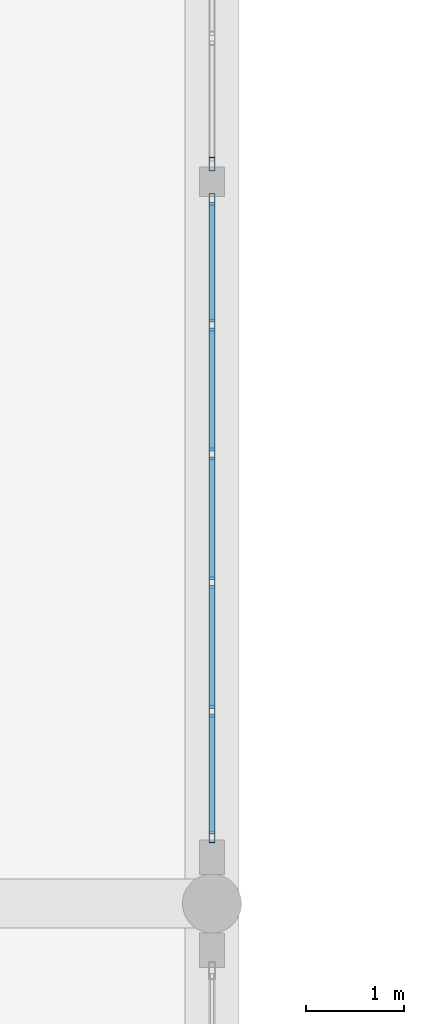
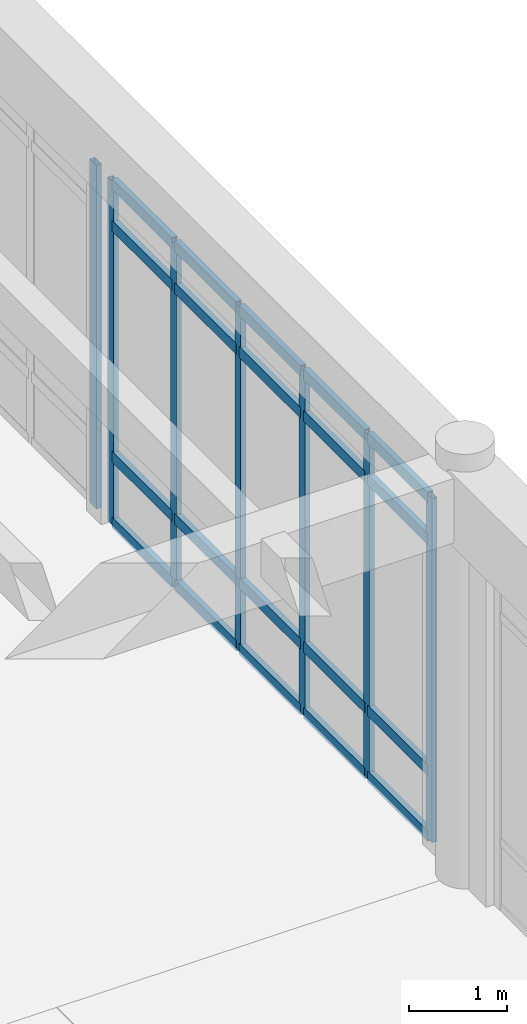
# One storey, part 82 of 138: 27 members, 2 elements without a shape of their own.
"""IFC4 building model written with IfcOpenShell, lengths in metres."""

from ifc_helpers import new_model, si_unit, direction, frame, origin, origin_2d, place, context, subcontext, project, spatial, hollow_rectangle, extrude, material, layer, layer_set, material_profile, profile_set, type_object, element, aggregate, save


model = new_model("IFC4")

# Units and contexts
model_context = context("Model", 3, precision=1e-05, world=origin(), true_north=direction((0.0, 1.0)))
body_context = subcontext(model_context, "Body", "Model", "MODEL_VIEW")
ifc_project = project(units=[si_unit("LENGTHUNIT", "METRE"), si_unit("AREAUNIT", "SQUARE_METRE"), si_unit("VOLUMEUNIT", "CUBIC_METRE"), si_unit("PLANEANGLEUNIT", "RADIAN"), si_unit("MASSUNIT", "GRAM", prefix="KILO")], contexts=[model_context])

# Site, building, storey
site_placement = place(None, origin())
site = spatial("IfcSite", under=ifc_project, at=site_placement, CompositionType="ELEMENT")
building_placement = place(site_placement, origin())
building = spatial("IfcBuilding", under=site, at=building_placement, Name="Fikremerkos Civic Library", CompositionType="ELEMENT")
storey_placement = place(building_placement, origin())
storey = spatial("IfcBuildingStorey", under=building, at=storey_placement, Name="L00", CompositionType="ELEMENT", Elevation=0.0)

# Curtain wall, member
ifc_material = material(Name="Anodized aluminium Frame", Category="aluminium")
ifc_layer_1 = layer(ifc_material, 0.159912109375, Name="Anodized aluminium Frame")
ifc_layer_set_1 = layer_set([ifc_layer_1], Name="Anodized aluminium Frame")
curtain_wall_type_1 = type_object("IfcCurtainWallType", Name="Unitised curtain wall CW-03 4100x3600", PredefinedType="USERDEFINED", material=ifc_layer_set_1)
curtain_wall_1_placement = place(storey_placement, origin())
curtain_wall_1 = element("IfcCurtainWall", 1, at=curtain_wall_1_placement, inside=storey, type_object=curtain_wall_type_1, Name="Unitised curtain wall CW-03 L00 #57", ObjectType="UNITISED CURTAIN WALL", PredefinedType="USERDEFINED")
ifc_material_profile_1 = material_profile(ifc_material, hollow_rectangle(XDim=0.06005859375, YDim=0.139892578125, WallThickness=0.00390625, at=origin_2d()), Name="ALU 140x60x4")
ifc_profile_set_1 = profile_set([ifc_material_profile_1], Name="Anodized aluminium Frame")
member_type_1 = type_object("IfcMemberType", Name="Curtain mullion CWM-03 ALU 140x60x4", PredefinedType="MULLION", material=ifc_profile_set_1)
member_1_placement = place(storey_placement, frame((134.39990234375, 103.52099609375, 0.0), z_axis=(0.0, 0.0, 1.0), x_axis=(1.0, 0.0, 0.0)))
member_1 = element("IfcMember", 2, at=member_1_placement, type_object=member_type_1, Name="CW-03 mullion 6", PredefinedType="MULLION", context=body_context, shape_type="SweptSolid", body=[
    extrude(hollow_rectangle(XDim=0.06005859375, YDim=0.139892578125, WallThickness=0.00390625, at=origin_2d()), origin(), (0.0, 0.0, 1.0), 4.27001953125),
])
aggregate(curtain_wall_1, [member_1])

# Curtain wall, members
ifc_layer_2 = layer(ifc_material, 0.159912109375, Name="Anodized aluminium Frame")
ifc_layer_set_2 = layer_set([ifc_layer_2], Name="Anodized aluminium Frame")
curtain_wall_type_2 = type_object("IfcCurtainWallType", Name="Unitised curtain wall CW-04 3400x3600", PredefinedType="USERDEFINED", material=ifc_layer_set_2)
curtain_wall_2_placement = place(storey_placement, origin())
curtain_wall_2 = element("IfcCurtainWall", 3, at=curtain_wall_2_placement, inside=storey, type_object=curtain_wall_type_2, Name="Unitised curtain wall CW-04 L00 #58", ObjectType="UNITISED CURTAIN WALL", PredefinedType="USERDEFINED")
ifc_material_profile_2 = material_profile(ifc_material, hollow_rectangle(XDim=0.06005859375, YDim=0.1201171875, WallThickness=0.00390625, at=origin_2d()), Name="ALU 120x60x4")
ifc_profile_set_2 = profile_set([ifc_material_profile_2], Name="Anodized aluminium Frame")
member_type_2 = type_object("IfcMemberType", Name="Curtain mullion CWM-04 ALU 120x60x4", PredefinedType="MULLION", material=ifc_profile_set_2)
member_2_placement = place(storey_placement, frame((134.39990234375, 103.160888671875, 0.0), z_axis=(0.0, 0.0, 1.0), x_axis=(1.0, 0.0, 0.0)))
member_2 = element("IfcMember", 4, at=member_2_placement, type_object=member_type_2, Name="CW-04 mullion 1", PredefinedType="MULLION", context=body_context, shape_type="SweptSolid", body=[
    extrude(hollow_rectangle(XDim=0.06005859375, YDim=0.1201171875, WallThickness=0.00390625, at=origin_2d()), origin(), (0.0, 0.0, 1.0), 4.27001953125),
])
member_3_placement = place(storey_placement, frame((134.39990234375, 101.88232421875, 0.0), z_axis=(0.0, 0.0, 1.0), x_axis=(1.0, 0.0, 0.0)))
member_3 = element("IfcMember", 5, at=member_3_placement, type_object=member_type_2, Name="CW-04 mullion 2", PredefinedType="MULLION", context=body_context, shape_type="SweptSolid", body=[
    extrude(hollow_rectangle(XDim=0.06005859375, YDim=0.1201171875, WallThickness=0.00390625, at=origin_2d()), origin(), (0.0, 0.0, 1.0), 4.27001953125),
])
member_4_placement = place(storey_placement, frame((134.39990234375, 100.57373046875, 0.0), z_axis=(0.0, 0.0, 1.0), x_axis=(1.0, 0.0, 0.0)))
member_4 = element("IfcMember", 6, at=member_4_placement, type_object=member_type_2, Name="CW-04 mullion 3", PredefinedType="MULLION", context=body_context, shape_type="SweptSolid", body=[
    extrude(hollow_rectangle(XDim=0.06005859375, YDim=0.1201171875, WallThickness=0.00390625, at=origin_2d()), origin(), (0.0, 0.0, 1.0), 4.27001953125),
])
member_5_placement = place(storey_placement, frame((134.39990234375, 99.26513671875, 0.0), z_axis=(0.0, 0.0, 1.0), x_axis=(1.0, 0.0, 0.0)))
member_5 = element("IfcMember", 7, at=member_5_placement, type_object=member_type_2, Name="CW-04 mullion 4", PredefinedType="MULLION", context=body_context, shape_type="SweptSolid", body=[
    extrude(hollow_rectangle(XDim=0.06005859375, YDim=0.1201171875, WallThickness=0.00390625, at=origin_2d()), origin(), (0.0, 0.0, 1.0), 4.27001953125),
])
member_6_placement = place(storey_placement, frame((134.39990234375, 97.95654296875, 0.0), z_axis=(0.0, 0.0, 1.0), x_axis=(1.0, 0.0, 0.0)))
member_6 = element("IfcMember", 8, at=member_6_placement, type_object=member_type_2, Name="CW-04 mullion 5", PredefinedType="MULLION", context=body_context, shape_type="SweptSolid", body=[
    extrude(hollow_rectangle(XDim=0.06005859375, YDim=0.1201171875, WallThickness=0.00390625, at=origin_2d()), origin(), (0.0, 0.0, 1.0), 4.27001953125),
])
member_7_placement = place(storey_placement, frame((134.39990234375, 96.677978515625, 0.0), z_axis=(0.0, 0.0, 1.0), x_axis=(1.0, 0.0, 0.0)))
member_7 = element("IfcMember", 9, at=member_7_placement, type_object=member_type_2, Name="CW-04 mullion 6", PredefinedType="MULLION", context=body_context, shape_type="SweptSolid", body=[
    extrude(hollow_rectangle(XDim=0.06005859375, YDim=0.1201171875, WallThickness=0.00390625, at=origin_2d()), origin(), (0.0, 0.0, 1.0), 4.27001953125),
])
ifc_material_profile_3 = material_profile(ifc_material, hollow_rectangle(XDim=0.06494140625, YDim=0.135009765625, WallThickness=0.00439453125, at=origin_2d()), Name="ALU 135x65x4.5")
ifc_profile_set_3 = profile_set([ifc_material_profile_3], Name="Anodized aluminium Frame")
member_type_3 = type_object("IfcMemberType", Name="Curtain transom CWT-02 ALU 135x65x4.5", PredefinedType="USERDEFINED", material=ifc_profile_set_3)
member_8_placement = place(storey_placement, frame((134.39990234375, 103.131103515625, 0.032470703125), z_axis=(0.0, -1.0, 0.0), x_axis=(1.0, 0.0, 0.0)))
member_8 = element("IfcMember", 10, at=member_8_placement, type_object=member_type_3, Name="CW-04 transom 1.1", ObjectType="TRANSOM", PredefinedType="USERDEFINED", context=body_context, shape_type="SweptSolid", body=[
    extrude(hollow_rectangle(XDim=0.06494140625, YDim=0.135009765625, WallThickness=0.00439453125, at=origin_2d()), origin(), (0.0, 0.0, 1.0), 1.21875),
])
member_9_placement = place(storey_placement, frame((134.39990234375, 103.131103515625, 0.85009765625), z_axis=(0.0, -1.0, 0.0), x_axis=(1.0, 0.0, 0.0)))
member_9 = element("IfcMember", 11, at=member_9_placement, type_object=member_type_3, Name="CW-04 transom 1.2", ObjectType="TRANSOM", PredefinedType="USERDEFINED", context=body_context, shape_type="SweptSolid", body=[
    extrude(hollow_rectangle(XDim=0.06494140625, YDim=0.135009765625, WallThickness=0.00439453125, at=origin_2d()), origin(), (0.0, 0.0, 1.0), 1.21875),
])
member_10_placement = place(storey_placement, frame((134.39990234375, 103.131103515625, 3.719970703125), z_axis=(0.0, -1.0, 0.0), x_axis=(1.0, 0.0, 0.0)))
member_10 = element("IfcMember", 12, at=member_10_placement, type_object=member_type_3, Name="CW-04 transom 1.3", ObjectType="TRANSOM", PredefinedType="USERDEFINED", context=body_context, shape_type="SweptSolid", body=[
    extrude(hollow_rectangle(XDim=0.06494140625, YDim=0.135009765625, WallThickness=0.00439453125, at=origin_2d()), origin(), (0.0, 0.0, 1.0), 1.21875),
])
member_11_placement = place(storey_placement, frame((134.39990234375, 103.131103515625, 4.237548828125), z_axis=(0.0, -1.0, 0.0), x_axis=(1.0, 0.0, 0.0)))
member_11 = element("IfcMember", 13, at=member_11_placement, type_object=member_type_3, Name="CW-04 transom 1.4", ObjectType="TRANSOM", PredefinedType="USERDEFINED", context=body_context, shape_type="SweptSolid", body=[
    extrude(hollow_rectangle(XDim=0.06494140625, YDim=0.135009765625, WallThickness=0.00439453125, at=origin_2d()), origin(), (0.0, 0.0, 1.0), 1.21875),
])
member_12_placement = place(storey_placement, frame((134.39990234375, 101.852294921875, 0.032470703125), z_axis=(0.0, -1.0, 0.0), x_axis=(1.0, 0.0, 0.0)))
member_12 = element("IfcMember", 14, at=member_12_placement, type_object=member_type_3, Name="CW-04 transom 2.1", ObjectType="TRANSOM", PredefinedType="USERDEFINED", context=body_context, shape_type="SweptSolid", body=[
    extrude(hollow_rectangle(XDim=0.06494140625, YDim=0.135009765625, WallThickness=0.00439453125, at=origin_2d()), origin(), (0.0, 0.0, 1.0), 1.24853515625),
])
member_13_placement = place(storey_placement, frame((134.39990234375, 101.852294921875, 0.85009765625), z_axis=(0.0, -1.0, 0.0), x_axis=(1.0, 0.0, 0.0)))
member_13 = element("IfcMember", 15, at=member_13_placement, type_object=member_type_3, Name="CW-04 transom 2.2", ObjectType="TRANSOM", PredefinedType="USERDEFINED", context=body_context, shape_type="SweptSolid", body=[
    extrude(hollow_rectangle(XDim=0.06494140625, YDim=0.135009765625, WallThickness=0.00439453125, at=origin_2d()), origin(), (0.0, 0.0, 1.0), 1.24853515625),
])
member_14_placement = place(storey_placement, frame((134.39990234375, 101.852294921875, 3.719970703125), z_axis=(0.0, -1.0, 0.0), x_axis=(1.0, 0.0, 0.0)))
member_14 = element("IfcMember", 16, at=member_14_placement, type_object=member_type_3, Name="CW-04 transom 2.3", ObjectType="TRANSOM", PredefinedType="USERDEFINED", context=body_context, shape_type="SweptSolid", body=[
    extrude(hollow_rectangle(XDim=0.06494140625, YDim=0.135009765625, WallThickness=0.00439453125, at=origin_2d()), origin(), (0.0, 0.0, 1.0), 1.24853515625),
])
member_15_placement = place(storey_placement, frame((134.39990234375, 101.852294921875, 4.237548828125), z_axis=(0.0, -1.0, 0.0), x_axis=(1.0, 0.0, 0.0)))
member_15 = element("IfcMember", 17, at=member_15_placement, type_object=member_type_3, Name="CW-04 transom 2.4", ObjectType="TRANSOM", PredefinedType="USERDEFINED", context=body_context, shape_type="SweptSolid", body=[
    extrude(hollow_rectangle(XDim=0.06494140625, YDim=0.135009765625, WallThickness=0.00439453125, at=origin_2d()), origin(), (0.0, 0.0, 1.0), 1.24853515625),
])
member_16_placement = place(storey_placement, frame((134.39990234375, 100.543701171875, 0.032470703125), z_axis=(0.0, -1.0, 0.0), x_axis=(1.0, 0.0, 0.0)))
member_16 = element("IfcMember", 18, at=member_16_placement, type_object=member_type_3, Name="CW-04 transom 3.1", ObjectType="TRANSOM", PredefinedType="USERDEFINED", context=body_context, shape_type="SweptSolid", body=[
    extrude(hollow_rectangle(XDim=0.06494140625, YDim=0.135009765625, WallThickness=0.00439453125, at=origin_2d()), origin(), (0.0, 0.0, 1.0), 1.24853515625),
])
member_17_placement = place(storey_placement, frame((134.39990234375, 100.543701171875, 0.85009765625), z_axis=(0.0, -1.0, 0.0), x_axis=(1.0, 0.0, 0.0)))
member_17 = element("IfcMember", 19, at=member_17_placement, type_object=member_type_3, Name="CW-04 transom 3.2", ObjectType="TRANSOM", PredefinedType="USERDEFINED", context=body_context, shape_type="SweptSolid", body=[
    extrude(hollow_rectangle(XDim=0.06494140625, YDim=0.135009765625, WallThickness=0.00439453125, at=origin_2d()), origin(), (0.0, 0.0, 1.0), 1.24853515625),
])
member_18_placement = place(storey_placement, frame((134.39990234375, 100.543701171875, 3.719970703125), z_axis=(0.0, -1.0, 0.0), x_axis=(1.0, 0.0, 0.0)))
member_18 = element("IfcMember", 20, at=member_18_placement, type_object=member_type_3, Name="CW-04 transom 3.3", ObjectType="TRANSOM", PredefinedType="USERDEFINED", context=body_context, shape_type="SweptSolid", body=[
    extrude(hollow_rectangle(XDim=0.06494140625, YDim=0.135009765625, WallThickness=0.00439453125, at=origin_2d()), origin(), (0.0, 0.0, 1.0), 1.24853515625),
])
member_19_placement = place(storey_placement, frame((134.39990234375, 100.543701171875, 4.237548828125), z_axis=(0.0, -1.0, 0.0), x_axis=(1.0, 0.0, 0.0)))
member_19 = element("IfcMember", 21, at=member_19_placement, type_object=member_type_3, Name="CW-04 transom 3.4", ObjectType="TRANSOM", PredefinedType="USERDEFINED", context=body_context, shape_type="SweptSolid", body=[
    extrude(hollow_rectangle(XDim=0.06494140625, YDim=0.135009765625, WallThickness=0.00439453125, at=origin_2d()), origin(), (0.0, 0.0, 1.0), 1.24853515625),
])
member_20_placement = place(storey_placement, frame((134.39990234375, 99.235107421875, 0.032470703125), z_axis=(0.0, -1.0, 0.0), x_axis=(1.0, 0.0, 0.0)))
member_20 = element("IfcMember", 22, at=member_20_placement, type_object=member_type_3, Name="CW-04 transom 4.1", ObjectType="TRANSOM", PredefinedType="USERDEFINED", context=body_context, shape_type="SweptSolid", body=[
    extrude(hollow_rectangle(XDim=0.06494140625, YDim=0.135009765625, WallThickness=0.00439453125, at=origin_2d()), origin(), (0.0, 0.0, 1.0), 1.24853515625),
])
member_21_placement = place(storey_placement, frame((134.39990234375, 99.235107421875, 0.85009765625), z_axis=(0.0, -1.0, 0.0), x_axis=(1.0, 0.0, 0.0)))
member_21 = element("IfcMember", 23, at=member_21_placement, type_object=member_type_3, Name="CW-04 transom 4.2", ObjectType="TRANSOM", PredefinedType="USERDEFINED", context=body_context, shape_type="SweptSolid", body=[
    extrude(hollow_rectangle(XDim=0.06494140625, YDim=0.135009765625, WallThickness=0.00439453125, at=origin_2d()), origin(), (0.0, 0.0, 1.0), 1.24853515625),
])
member_22_placement = place(storey_placement, frame((134.39990234375, 99.235107421875, 3.719970703125), z_axis=(0.0, -1.0, 0.0), x_axis=(1.0, 0.0, 0.0)))
member_22 = element("IfcMember", 24, at=member_22_placement, type_object=member_type_3, Name="CW-04 transom 4.3", ObjectType="TRANSOM", PredefinedType="USERDEFINED", context=body_context, shape_type="SweptSolid", body=[
    extrude(hollow_rectangle(XDim=0.06494140625, YDim=0.135009765625, WallThickness=0.00439453125, at=origin_2d()), origin(), (0.0, 0.0, 1.0), 1.24853515625),
])
member_23_placement = place(storey_placement, frame((134.39990234375, 99.235107421875, 4.237548828125), z_axis=(0.0, -1.0, 0.0), x_axis=(1.0, 0.0, 0.0)))
member_23 = element("IfcMember", 25, at=member_23_placement, type_object=member_type_3, Name="CW-04 transom 4.4", ObjectType="TRANSOM", PredefinedType="USERDEFINED", context=body_context, shape_type="SweptSolid", body=[
    extrude(hollow_rectangle(XDim=0.06494140625, YDim=0.135009765625, WallThickness=0.00439453125, at=origin_2d()), origin(), (0.0, 0.0, 1.0), 1.24853515625),
])
member_24_placement = place(storey_placement, frame((134.39990234375, 97.926513671875, 0.032470703125), z_axis=(0.0, -1.0, 0.0), x_axis=(1.0, 0.0, 0.0)))
member_24 = element("IfcMember", 26, at=member_24_placement, type_object=member_type_3, Name="CW-04 transom 5.1", ObjectType="TRANSOM", PredefinedType="USERDEFINED", context=body_context, shape_type="SweptSolid", body=[
    extrude(hollow_rectangle(XDim=0.06494140625, YDim=0.135009765625, WallThickness=0.00439453125, at=origin_2d()), origin(), (0.0, 0.0, 1.0), 1.218505859375),
])
member_25_placement = place(storey_placement, frame((134.39990234375, 97.926513671875, 0.85009765625), z_axis=(0.0, -1.0, 0.0), x_axis=(1.0, 0.0, 0.0)))
member_25 = element("IfcMember", 27, at=member_25_placement, type_object=member_type_3, Name="CW-04 transom 5.2", ObjectType="TRANSOM", PredefinedType="USERDEFINED", context=body_context, shape_type="SweptSolid", body=[
    extrude(hollow_rectangle(XDim=0.06494140625, YDim=0.135009765625, WallThickness=0.00439453125, at=origin_2d()), origin(), (0.0, 0.0, 1.0), 1.218505859375),
])
member_26_placement = place(storey_placement, frame((134.39990234375, 97.926513671875, 3.719970703125), z_axis=(0.0, -1.0, 0.0), x_axis=(1.0, 0.0, 0.0)))
member_26 = element("IfcMember", 28, at=member_26_placement, type_object=member_type_3, Name="CW-04 transom 5.3", ObjectType="TRANSOM", PredefinedType="USERDEFINED", context=body_context, shape_type="SweptSolid", body=[
    extrude(hollow_rectangle(XDim=0.06494140625, YDim=0.135009765625, WallThickness=0.00439453125, at=origin_2d()), origin(), (0.0, 0.0, 1.0), 1.218505859375),
])
member_27_placement = place(storey_placement, frame((134.39990234375, 97.926513671875, 4.237548828125), z_axis=(0.0, -1.0, 0.0), x_axis=(1.0, 0.0, 0.0)))
member_27 = element("IfcMember", 29, at=member_27_placement, type_object=member_type_3, Name="CW-04 transom 5.4", ObjectType="TRANSOM", PredefinedType="USERDEFINED", context=body_context, shape_type="SweptSolid", body=[
    extrude(hollow_rectangle(XDim=0.06494140625, YDim=0.135009765625, WallThickness=0.00439453125, at=origin_2d()), origin(), (0.0, 0.0, 1.0), 1.218505859375),
])
aggregate(curtain_wall_2, [member_2, member_3, member_4, member_5, member_6, member_7, member_8, member_9, member_10, member_11, member_12, member_13, member_14, member_15, member_16, member_17, member_18, member_19, member_20, member_21, member_22, member_23, member_24, member_25, member_26, member_27])

save(model, "model.ifc")
